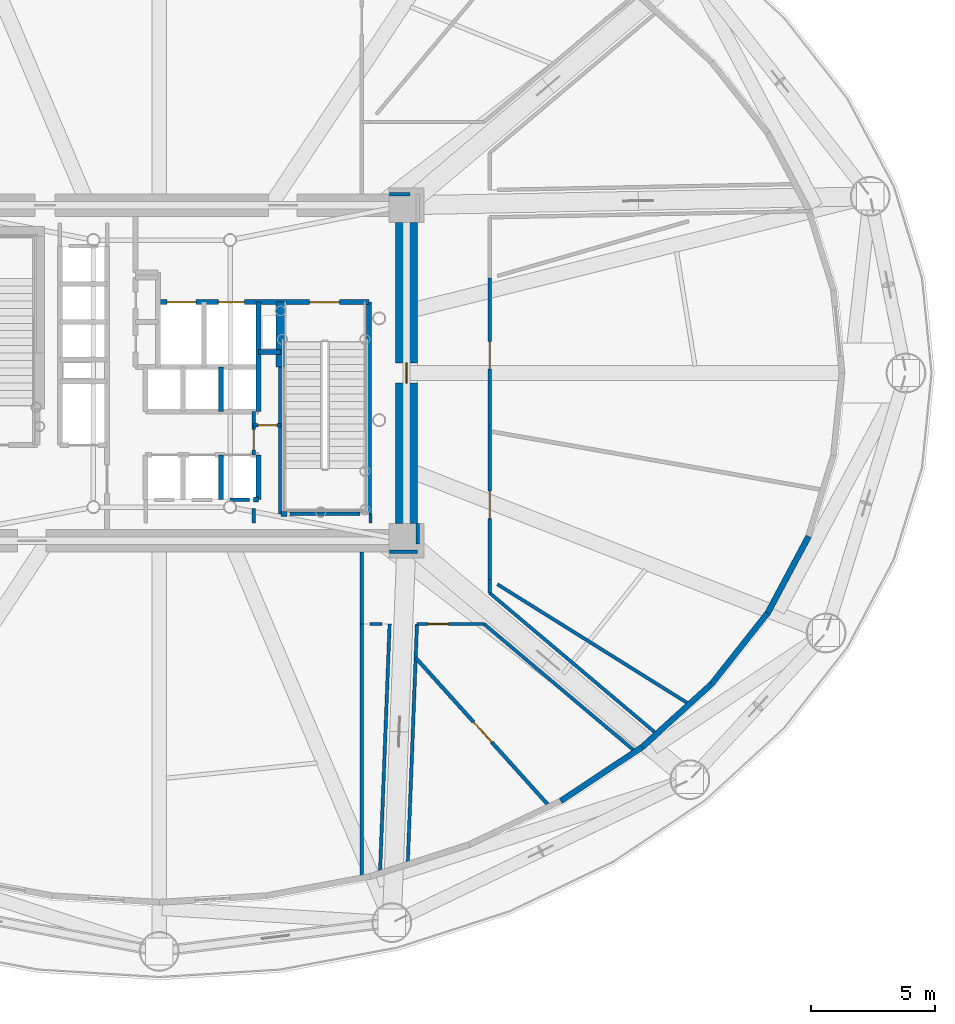
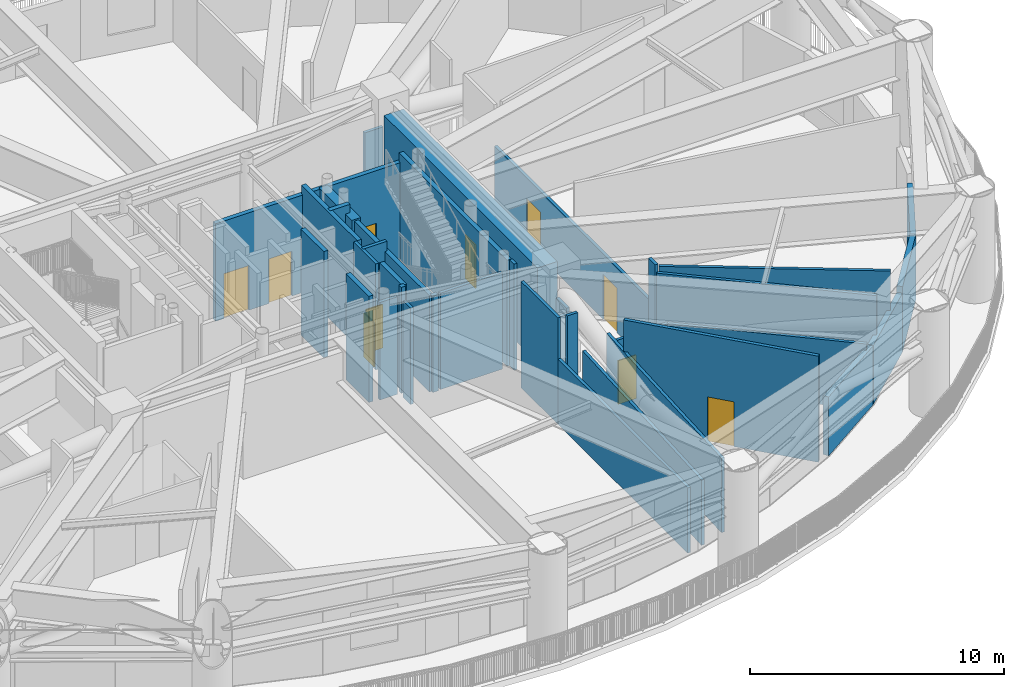
# One storey, part 13 of 22: 37 walls, 10 doors, 10 openings.
"""IFC4 building model written with IfcOpenShell, lengths in metres."""

from ifc_helpers import new_model, si_unit, direction, frame, frame_2d, origin, origin_2d, place, context, subcontext, project, spatial, rectangle, extrude, source, transform, mapped, material, layer, layer_set, type_object, element, fill, save


model = new_model("IFC4")

# Units and contexts
model_context = context("Model", 3, precision=1e-05, world=origin(), true_north=direction((0.0, 1.0)))
body_context = subcontext(model_context, "Body", "Model", "MODEL_VIEW")
ifc_project = project(units=[si_unit("LENGTHUNIT", "METRE"), si_unit("AREAUNIT", "SQUARE_METRE"), si_unit("VOLUMEUNIT", "CUBIC_METRE"), si_unit("PLANEANGLEUNIT", "RADIAN"), si_unit("MASSUNIT", "GRAM", prefix="KILO")], contexts=[model_context])

# Site, building, storey
site_placement = place(None, origin())
site = spatial("IfcSite", under=ifc_project, at=site_placement, CompositionType="ELEMENT")
building_placement = place(site_placement, origin())
building = spatial("IfcBuilding", under=site, at=building_placement, Name="Linh Dai School and Residence Tower", CompositionType="ELEMENT")
storey_placement = place(building_placement, frame((0.0, 0.0, 87.0)))
storey = spatial("IfcBuildingStorey", under=building, at=storey_placement, Name="L20", CompositionType="ELEMENT", Elevation=87.0)

# Walls
ifc_material_1 = material(Name="Precast Concrete B45 (C35/45)", Category="concrete")
ifc_layer_1 = layer(ifc_material_1, 0.239990234375)
ifc_layer_set_1 = layer_set([ifc_layer_1], Name="Precast Concrete B45 (C35/45)")
wall_type_1 = type_object("IfcWallType", Name="EW-TC-240", PredefinedType="SOLIDWALL", material=ifc_layer_set_1)
wall_1_placement = place(storey_placement, frame((55.439453125, 11.9453125, 0.0), z_axis=(0.0, 0.0, 1.0), x_axis=(-0.833432371142, -0.552621464235, 0.0)))
element("IfcWall", 1, at=wall_1_placement, inside=storey, type_object=wall_type_1, Name="L20 Terracotta Exterior Wall 35", PredefinedType="SOLIDWALL", context=body_context, shape_type="SweptSolid", body=[
    extrude(rectangle(XDim=3.93310546875, YDim=0.239990234375, at=frame_2d((1.966552734375, 0.0))), origin(), (0.0, 0.0, 1.0), 2.83203125),
])
wall_2_placement = place(storey_placement, frame((58.237548828125, 14.4892578125, 0.0), z_axis=(0.0, 0.0, 1.0), x_axis=(-0.739910860475, -0.672704926808, 0.0)))
element("IfcWall", 2, at=wall_2_placement, inside=storey, type_object=wall_type_1, Name="L20 Terracotta Exterior Wall 36", PredefinedType="SOLIDWALL", context=body_context, shape_type="SweptSolid", body=[
    extrude(rectangle(XDim=3.78173828125, YDim=0.239990234375, at=frame_2d((1.890869140625, 0.0))), origin(), (0.0, 0.0, 1.0), 2.83203125),
])
wall_3_placement = place(storey_placement, frame((60.4873046875, 17.339599609375, 0.0), z_axis=(0.0, 0.0, 1.0), x_axis=(-0.61955708767, -0.784951600494, 0.0)))
element("IfcWall", 3, at=wall_3_placement, inside=storey, type_object=wall_type_1, Name="L20 Terracotta Exterior Wall 37", PredefinedType="SOLIDWALL", context=body_context, shape_type="SweptSolid", body=[
    extrude(rectangle(XDim=3.63134765625, YDim=0.239990234375, at=frame_2d((1.815673828125, 0.0))), origin(), (0.0, 0.0, 1.0), 3.135009765625),
])
wall_4_placement = place(storey_placement, frame((62.1337890625, 20.426025390625, 0.0), z_axis=(0.0, 0.0, 1.0), x_axis=(-0.470675170758, -0.882306570095, 0.0)))
element("IfcWall", 4, at=wall_4_placement, inside=storey, type_object=wall_type_1, Name="L20 Terracotta Exterior Wall 38", PredefinedType="SOLIDWALL", context=body_context, shape_type="SweptSolid", body=[
    extrude(rectangle(XDim=3.498046875, YDim=0.239990234375, at=frame_2d((1.7490234375, 0.0))), origin(), (0.0, 0.0, 1.0), 3.135009765625),
])

# Wall, opening, door
ifc_material_2 = material(Name="Autoclaved Aerated Concrete Blockwork", Category="masonry")
ifc_layer_2 = layer(ifc_material_2, 0.135009765625)
ifc_layer_set_2 = layer_set([ifc_layer_2], Name="Autoclaved Aerated Concrete Blockwork")
wall_type_2 = type_object("IfcWallType", Name="IW-CORR-135-EI90", PredefinedType="PARTITIONING", material=ifc_layer_set_2)
wall_5_placement = place(storey_placement, frame((39.800048828125, 23.699951171875, 0.0), z_axis=(0.0, 0.0, 1.0), x_axis=(0.0, 1.0, 0.0)))
wall_5 = element("IfcWall", 5, at=wall_5_placement, inside=storey, type_object=wall_type_2, Name="L20 Interior Partition Wall 041", PredefinedType="PARTITIONING", context=body_context, shape_type="SweptSolid", body=[
    extrude(rectangle(XDim=1.75, YDim=0.135009765625, at=frame_2d((0.875, 0.0))), origin(), (0.0, 0.0, 1.0), 5.10009765625),
])
opening_1_placement = place(wall_5_placement, frame((0.2099609375, 0.0, 0.0)))
opening_1 = element("IfcOpeningElement", 6, at=opening_1_placement, cuts=wall_5, Name="Opening D06", PredefinedType="OPENING", context=body_context, shape_type="SweptSolid", body=[
    extrude(rectangle(XDim=0.820068359375, YDim=2.10009765625, at=origin_2d()), frame((0.41015625, 0.07763671875, 1.050048828125), z_axis=(0.0, -1.0, 0.0), x_axis=(1.0, 0.0, 0.0)), (0.0, 0.0, 1.0), 0.155029296875),
])
ifc_material_3 = material(Name="Moisture-Resistant Timber Bathroom Door", Category="wood")
door_type_1 = type_object("IfcDoorType", Name="DR-WET-820x2100", OperationType="NOTDEFINED", PredefinedType="DOOR", material=ifc_material_3)
shared_shape_1 = source(origin(), body_context, "Body", "SweptSolid", [
    extrude(rectangle(XDim=0.820068359375, YDim=2.10009765625, at=origin_2d()), frame((0.41015625, 0.02490234375, 1.050048828125), z_axis=(0.0, -1.0, 0.0), x_axis=(1.0, 0.0, 0.0)), (0.0, 0.0, 1.0), 0.050048828125),
])
door_1_placement = place(opening_1_placement, origin())
door_1 = element("IfcDoor", 7, at=door_1_placement, inside=storey, type_object=door_type_1, Name="L20 SE Metering Closet Door", OperationType="SINGLE_SWING_LEFT", OverallHeight=2.10009765625, OverallWidth=0.820068359375, PredefinedType="DOOR", context=body_context, shape_type="MappedRepresentation", body=[
    mapped(shared_shape_1, transform((0.0, 0.0, 0.0), x_axis=(1.0, 0.0, 0.0), y_axis=(0.0, 1.0, 0.0), z_axis=(0.0, 0.0, 1.0), scale=1.0)),
])
fill(opening_1, door_1)

# Walls
wall_6_placement = place(storey_placement, frame((44.14990234375, 16.89990234375, 0.0), z_axis=(0.0, 0.0, 1.0), x_axis=(0.0, 1.0, 0.0)))
element("IfcWall", 8, at=wall_6_placement, inside=storey, type_object=wall_type_2, Name="L20 Interior Partition Wall 048", PredefinedType="PARTITIONING", context=body_context, shape_type="SweptSolid", body=[
    extrude(rectangle(XDim=2.900146484375, YDim=0.135009765625, at=frame_2d((1.4501953125, 0.0))), origin(), (0.0, 0.0, 1.0), 5.10009765625),
])
wall_7_placement = place(storey_placement, frame((45.998291015625, 7.21728515625, 0.0), z_axis=(0.0, 0.0, 1.0), x_axis=(0.038497951681, 0.99925867908, 0.0)))
element("IfcWall", 9, at=wall_7_placement, inside=storey, type_object=wall_type_2, Name="L20 Interior Partition Wall 052", PredefinedType="PARTITIONING", context=body_context, shape_type="SweptSolid", body=[
    extrude(rectangle(XDim=9.68994140625, YDim=0.135009765625, at=frame_2d((4.844970703125, 0.0))), origin(), (0.0, 0.0, 1.0), 3.5849609375),
])

# Wall, opening, door
wall_8_placement = place(storey_placement, frame((46.371337890625, 16.89990234375, 0.0), z_axis=(0.0, 0.0, 1.0), x_axis=(1.0, 0.0, 0.0)))
wall_8 = element("IfcWall", 10, at=wall_8_placement, inside=storey, type_object=wall_type_2, Name="L20 Interior Partition Wall 054", PredefinedType="PARTITIONING", context=body_context, shape_type="SweptSolid", body=[
    extrude(rectangle(XDim=2.69677734375, YDim=0.135009765625, at=frame_2d((1.348388671875, 0.0))), origin(), (0.0, 0.0, 1.0), 3.135009765625),
])
opening_2_placement = place(wall_8_placement, frame((0.447509765625, 0.0, 0.0)))
opening_2 = element("IfcOpeningElement", 11, at=opening_2_placement, cuts=wall_8, Name="Opening D06", PredefinedType="OPENING", context=body_context, shape_type="SweptSolid", body=[
    extrude(rectangle(XDim=0.820068359375, YDim=2.10009765625, at=origin_2d()), frame((0.41015625, 0.07763671875, 1.050048828125), z_axis=(0.0, -1.0, 0.0), x_axis=(1.0, 0.0, 0.0)), (0.0, 0.0, 1.0), 0.155029296875),
])
door_2_placement = place(opening_2_placement, origin())
door_2 = element("IfcDoor", 12, at=door_2_placement, inside=storey, type_object=door_type_1, Name="L20 Refuge Emergency Equipment & First-Aid Store Door", OperationType="SINGLE_SWING_RIGHT", OverallHeight=2.10009765625, OverallWidth=0.820068359375, PredefinedType="DOOR", context=body_context, shape_type="MappedRepresentation", body=[
    mapped(shared_shape_1, transform((0.0, 0.0, 0.0), x_axis=(1.0, 0.0, 0.0), y_axis=(0.0, 1.0, 0.0), z_axis=(0.0, 0.0, 1.0), scale=1.0)),
])
fill(opening_2, door_2)

# Wall
wall_9_placement = place(storey_placement, frame((49.068115234375, 16.89990234375, 0.0), z_axis=(0.0, 0.0, 1.0), x_axis=(0.764356069215, -0.644794385408, 0.0)))
element("IfcWall", 13, at=wall_9_placement, inside=storey, type_object=wall_type_2, Name="L20 Interior Partition Wall 055", PredefinedType="PARTITIONING", context=body_context, shape_type="SweptSolid", body=[
    extrude(rectangle(XDim=7.975830078125, YDim=0.135009765625, at=frame_2d((3.98779296875, 0.0))), origin(), (0.0, 0.0, 1.0), 3.135009765625),
])

# Wall, openings, doors
wall_10_placement = place(storey_placement, frame((49.300048828125, 18.689208984375, 0.0), z_axis=(0.0, 0.0, 1.0), x_axis=(0.0, 1.0, 0.0)))
wall_10 = element("IfcWall", 14, at=wall_10_placement, inside=storey, type_object=wall_type_2, Name="L20 Interior Partition Wall 056", PredefinedType="PARTITIONING", context=body_context, shape_type="SweptSolid", body=[
    extrude(rectangle(XDim=12.12451171875, YDim=0.135009765625, at=frame_2d((6.062255859375, 0.0))), origin(), (0.0, 0.0, 1.0), 3.135009765625),
])
opening_3_placement = place(wall_10_placement, frame((2.452880859375, 0.0, 0.0)))
opening_3 = element("IfcOpeningElement", 15, at=opening_3_placement, cuts=wall_10, Name="Opening D07", PredefinedType="OPENING", context=body_context, shape_type="SweptSolid", body=[
    extrude(rectangle(XDim=1.10009765625, YDim=2.14990234375, at=origin_2d()), frame((0.550048828125, 0.07763671875, 1.074951171875), z_axis=(0.0, -1.0, 0.0), x_axis=(1.0, 0.0, 0.0)), (0.0, 0.0, 1.0), 0.155029296875),
])
opening_4_placement = place(wall_10_placement, frame((8.47509765625, 0.0, 0.0)))
opening_4 = element("IfcOpeningElement", 16, at=opening_4_placement, cuts=wall_10, Name="Opening D07", PredefinedType="OPENING", context=body_context, shape_type="SweptSolid", body=[
    extrude(rectangle(XDim=1.10009765625, YDim=2.14990234375, at=origin_2d()), frame((0.550048828125, 0.07763671875, 1.074951171875), z_axis=(0.0, -1.0, 0.0), x_axis=(1.0, 0.0, 0.0)), (0.0, 0.0, 1.0), 0.155029296875),
])
ifc_material_4 = material(Name="Fire-Rated Louvred Steel Plant Door", Category="steel")
door_type_2 = type_object("IfcDoorType", Name="DR-PLT-1100x2150-FD60S", OperationType="NOTDEFINED", PredefinedType="DOOR", material=ifc_material_4)
shared_shape_2 = source(origin(), body_context, "Body", "SweptSolid", [
    extrude(rectangle(XDim=1.10009765625, YDim=2.14990234375, at=origin_2d()), frame((0.550048828125, 0.02490234375, 1.074951171875), z_axis=(0.0, -1.0, 0.0), x_axis=(1.0, 0.0, 0.0)), (0.0, 0.0, 1.0), 0.050048828125),
])
door_3_placement = place(opening_3_placement, origin())
door_3 = element("IfcDoor", 17, at=door_3_placement, inside=storey, type_object=door_type_2, Name="L20 Primary Air-Handling Plant Room East 1 Door", OperationType="SINGLE_SWING_LEFT", OverallHeight=2.14990234375, OverallWidth=1.10009765625, PredefinedType="DOOR", context=body_context, shape_type="MappedRepresentation", body=[
    mapped(shared_shape_2, transform((0.0, 0.0, 0.0), x_axis=(1.0, 0.0, 0.0), y_axis=(0.0, 1.0, 0.0), z_axis=(0.0, 0.0, 1.0), scale=1.0)),
])
fill(opening_3, door_3)
door_4_placement = place(opening_4_placement, origin())
door_4 = element("IfcDoor", 18, at=door_4_placement, inside=storey, type_object=door_type_2, Name="L20 Primary Air-Handling Plant Room East 2 Door", OperationType="SINGLE_SWING_RIGHT", OverallHeight=2.14990234375, OverallWidth=1.10009765625, PredefinedType="DOOR", context=body_context, shape_type="MappedRepresentation", body=[
    mapped(shared_shape_2, transform((0.0, 0.0, 0.0), x_axis=(1.0, 0.0, 0.0), y_axis=(0.0, 1.0, 0.0), z_axis=(0.0, 0.0, 1.0), scale=1.0)),
])
fill(opening_4, door_4)

# Walls
wall_11_placement = place(storey_placement, frame((44.080078125, 21.330078125, 0.0), z_axis=(0.0, 0.0, 1.0), x_axis=(-1.0, 0.0, 0.0)))
element("IfcWall", 19, at=wall_11_placement, inside=storey, type_object=wall_type_2, Name="L20 Interior Partition Wall 059", PredefinedType="PARTITIONING", context=body_context, shape_type="SweptSolid", body=[
    extrude(rectangle(XDim=2.820068359375, YDim=0.135009765625, at=frame_2d((1.41015625, 0.0))), origin(), (0.0, 0.0, 1.0), 4.635009765625),
])
wall_12_placement = place(storey_placement, frame((39.639892578125, 21.89990234375, 0.0), z_axis=(0.0, 0.0, 1.0), x_axis=(-1.0, 0.0, 0.0)))
element("IfcWall", 20, at=wall_12_placement, inside=storey, type_object=wall_type_2, Name="L20 Interior Partition Wall 062", PredefinedType="PARTITIONING", context=body_context, shape_type="SweptSolid", body=[
    extrude(rectangle(XDim=0.7998046875, YDim=0.135009765625, at=frame_2d((0.39990234375, 0.0))), origin(), (0.0, 0.0, 1.0), 4.68505859375),
])
wall_13_placement = place(storey_placement, frame((39.800048828125, 20.9599609375, 0.0), z_axis=(0.0, 0.0, 1.0), x_axis=(0.0, 1.0, 0.0)))
element("IfcWall", 21, at=wall_13_placement, inside=storey, type_object=wall_type_2, Name="L20 Interior Partition Wall 064", PredefinedType="PARTITIONING", context=body_context, shape_type="SweptSolid", body=[
    extrude(rectangle(XDim=0.580078125, YDim=0.135009765625, at=frame_2d((0.2900390625, 0.0))), origin(), (0.0, 0.0, 1.0), 4.635009765625),
])
wall_14_placement = place(storey_placement, frame((44.5, 20.9599609375, 0.0), z_axis=(0.0, 0.0, 1.0), x_axis=(0.0, 1.0, 0.0)))
element("IfcWall", 22, at=wall_14_placement, inside=storey, type_object=wall_type_2, Name="L20 Interior Partition Wall 066", PredefinedType="PARTITIONING", context=body_context, shape_type="SweptSolid", body=[
    extrude(rectangle(XDim=0.360107421875, YDim=0.135009765625, at=frame_2d((0.18017578125, 0.0))), origin(), (0.0, 0.0, 1.0), 5.10009765625),
])
wall_15_placement = place(storey_placement, frame((44.14990234375, 16.889892578125, 0.0), z_axis=(0.0, 0.0, 1.0), x_axis=(0.0, -1.0, 0.0)))
element("IfcWall", 23, at=wall_15_placement, inside=storey, type_object=wall_type_2, Name="L20 Interior Partition Wall 071", PredefinedType="PARTITIONING", context=body_context, shape_type="SweptSolid", body=[
    extrude(rectangle(XDim=10.2197265625, YDim=0.135009765625, at=frame_2d((5.10986328125, 0.0))), origin(), (0.0, 0.0, 1.0), 3.135009765625),
])
wall_16_placement = place(storey_placement, frame((44.883544921875, 6.858642578125, 0.0), z_axis=(0.0, 0.0, 1.0), x_axis=(0.03850870067, 0.999258264901, 0.0)))
element("IfcWall", 24, at=wall_16_placement, inside=storey, type_object=wall_type_2, Name="L20 Interior Partition Wall 083", PredefinedType="PARTITIONING", context=body_context, shape_type="SweptSolid", body=[
    extrude(rectangle(XDim=10.048828125, YDim=0.135009765625, at=frame_2d((5.0244140625, 0.0))), origin(), (0.0, 0.0, 1.0), 3.135009765625),
])
wall_17_placement = place(storey_placement, frame((44.962890625, 16.89990234375, 0.0), z_axis=(0.0, 0.0, 1.0), x_axis=(-1.0, 0.0, 0.0)))
element("IfcWall", 25, at=wall_17_placement, inside=storey, type_object=wall_type_2, Name="L20 Interior Partition Wall 084", PredefinedType="PARTITIONING", context=body_context, shape_type="SweptSolid", body=[
    extrude(rectangle(XDim=0.4853515625, YDim=0.135009765625, at=frame_2d((0.24267578125, 0.0))), origin(), (0.0, 0.0, 1.0), 5.10009765625),
])
wall_18_placement = place(storey_placement, frame((45.260009765625, 19.800048828125, 0.0), z_axis=(0.0, 0.0, 1.0), x_axis=(1.0, 0.0, 0.0)))
element("IfcWall", 26, at=wall_18_placement, inside=storey, type_object=wall_type_2, Name="L20 Interior Partition Wall 085", PredefinedType="PARTITIONING", context=body_context, shape_type="SweptSolid", body=[
    extrude(rectangle(XDim=1.139892578125, YDim=0.135009765625, at=frame_2d((0.56982421875, 0.0))), origin(), (0.0, 0.0, 1.0), 2.83203125),
])
wall_19_placement = place(storey_placement, frame((46.39990234375, 20.107421875, 0.0), z_axis=(0.0, 0.0, 1.0), x_axis=(0.0, 1.0, 0.0)))
element("IfcWall", 27, at=wall_19_placement, inside=storey, type_object=wall_type_2, Name="L20 Interior Partition Wall 086", PredefinedType="PARTITIONING", context=body_context, shape_type="SweptSolid", body=[
    extrude(rectangle(XDim=0.83251953125, YDim=0.135009765625, at=frame_2d((0.416259765625, 0.0))), origin(), (0.0, 0.0, 1.0), 2.83203125),
])
wall_20_placement = place(storey_placement, frame((46.092529296875, 34.199951171875, 0.0), z_axis=(0.0, 0.0, 1.0), x_axis=(-1.0, 0.0, 0.0)))
element("IfcWall", 28, at=wall_20_placement, inside=storey, type_object=wall_type_2, Name="L20 Interior Partition Wall 088", PredefinedType="PARTITIONING", context=body_context, shape_type="SweptSolid", body=[
    extrude(rectangle(XDim=0.83251953125, YDim=0.135009765625, at=frame_2d((0.416259765625, 0.0))), origin(), (0.0, 0.0, 1.0), 3.135009765625),
])
wall_21_placement = place(storey_placement, frame((49.300048828125, 18.67919921875, 0.0), z_axis=(0.0, 0.0, 1.0), x_axis=(0.0, -1.0, 0.0)))
element("IfcWall", 29, at=wall_21_placement, inside=storey, type_object=wall_type_2, Name="L20 Interior Partition Wall 096", PredefinedType="PARTITIONING", context=body_context, shape_type="SweptSolid", body=[
    extrude(rectangle(XDim=0.53564453125, YDim=0.135009765625, at=frame_2d((0.267822265625, 0.0))), origin(), (0.0, 0.0, 1.0), 5.10009765625),
])
wall_22_placement = place(storey_placement, frame((49.300048828125, 18.1435546875, 0.0), z_axis=(0.0, 0.0, 1.0), x_axis=(0.764349608458, -0.64480204408, 0.0)))
element("IfcWall", 30, at=wall_22_placement, inside=storey, type_object=wall_type_2, Name="L20 Interior Partition Wall 097", PredefinedType="PARTITIONING", context=body_context, shape_type="SweptSolid", body=[
    extrude(rectangle(XDim=8.7978515625, YDim=0.135009765625, at=frame_2d((4.39892578125, 0.0))), origin(), (0.0, 0.0, 1.0), 4.72509765625),
])
wall_23_placement = place(storey_placement, frame((57.33935546875, 13.665771484375, 0.0), z_axis=(0.0, 0.0, 1.0), x_axis=(-0.848055465333, 0.529907470902, 0.0)))
element("IfcWall", 31, at=wall_23_placement, inside=storey, type_object=wall_type_2, Name="L20 Interior Partition Wall 098", PredefinedType="PARTITIONING", context=body_context, shape_type="SweptSolid", body=[
    extrude(rectangle(XDim=9.1171875, YDim=0.135009765625, at=frame_2d((4.55859375, 0.0))), origin(), (0.0, 0.0, 1.0), 4.72509765625),
])

# Wall, opening, door
ifc_layer_3 = layer(ifc_material_2, 0.14990234375)
ifc_layer_set_3 = layer_set([ifc_layer_3], Name="Autoclaved Aerated Concrete Blockwork")
wall_type_3 = type_object("IfcWallType", Name="IW-SCH-150-EI60", PredefinedType="PARTITIONING", material=ifc_layer_set_3)
wall_24_placement = place(storey_placement, frame((39.800048828125, 24.89990234375, 0.0), z_axis=(0.0, 0.0, 1.0), x_axis=(1.0, 0.0, 0.0)))
wall_24 = element("IfcWall", 32, at=wall_24_placement, inside=storey, type_object=wall_type_3, Name="L20 Interior Partition Wall 042", PredefinedType="PARTITIONING", context=body_context, shape_type="SweptSolid", body=[
    extrude(rectangle(XDim=1.099853515625, YDim=0.14990234375, at=frame_2d((0.5498046875, 0.0))), origin(), (0.0, 0.0, 1.0), 5.10009765625),
])
opening_5_placement = place(wall_24_placement, frame((0.169921875, 0.0, 0.0)))
opening_5 = element("IfcOpeningElement", 33, at=opening_5_placement, cuts=wall_24, Name="Opening D08", PredefinedType="OPENING", context=body_context, shape_type="SweptSolid", body=[
    extrude(rectangle(XDim=0.760009765625, YDim=2.10009765625, at=origin_2d()), frame((0.3798828125, 0.0849609375, 1.050048828125), z_axis=(0.0, -1.0, 0.0), x_axis=(1.0, 0.0, 0.0)), (0.0, 0.0, 1.0), 0.169921875),
])
ifc_material_5 = material(Name="Engineered Timber Closet and Study Door", Category="wood")
door_type_3 = type_object("IfcDoorType", Name="DR-CMP-760x2100", OperationType="NOTDEFINED", PredefinedType="DOOR", material=ifc_material_5)
shared_shape_3 = source(origin(), body_context, "Body", "SweptSolid", [
    extrude(rectangle(XDim=0.760009765625, YDim=2.10009765625, at=origin_2d()), frame((0.3798828125, 0.02490234375, 1.050048828125), z_axis=(0.0, -1.0, 0.0), x_axis=(1.0, 0.0, 0.0)), (0.0, 0.0, 1.0), 0.050048828125),
])
door_5_placement = place(opening_5_placement, origin())
door_5 = element("IfcDoor", 34, at=door_5_placement, inside=storey, type_object=door_type_3, Name="L20 NE Cleaners Store Door", OperationType="SINGLE_SWING_RIGHT", OverallHeight=2.10009765625, OverallWidth=0.760009765625, PredefinedType="DOOR", context=body_context, shape_type="MappedRepresentation", body=[
    mapped(shared_shape_3, transform((0.0, 0.0, 0.0), x_axis=(1.0, 0.0, 0.0), y_axis=(0.0, 1.0, 0.0), z_axis=(0.0, 0.0, 1.0), scale=1.0)),
])
fill(opening_5, door_5)

wall_25_placement = place(storey_placement, frame((46.31884765625, 15.539794921875, 0.0), z_axis=(0.0, 0.0, 1.0), x_axis=(0.66912875912, -0.743146488734, 0.0)))
wall_25 = element("IfcWall", 35, at=wall_25_placement, inside=storey, type_object=wall_type_3, Name="L20 Interior Partition Wall 053", PredefinedType="PARTITIONING", context=body_context, shape_type="SweptSolid", body=[
    extrude(rectangle(XDim=8.05810546875, YDim=0.14990234375, at=frame_2d((4.029052734375, 0.0))), origin(), (0.0, 0.0, 1.0), 5.10009765625),
])
opening_6_placement = place(wall_25_placement, frame((3.47900390625, 0.0, 0.0)))
opening_6 = element("IfcOpeningElement", 36, at=opening_6_placement, cuts=wall_25, Name="Opening D07", PredefinedType="OPENING", context=body_context, shape_type="SweptSolid", body=[
    extrude(rectangle(XDim=1.10009765625, YDim=2.14990234375, at=origin_2d()), frame((0.550048828125, 0.0849609375, 1.074951171875), z_axis=(0.0, -1.0, 0.0), x_axis=(1.0, 0.0, 0.0)), (0.0, 0.0, 1.0), 0.169921875),
])
door_6_placement = place(opening_6_placement, origin())
door_6 = element("IfcDoor", 37, at=door_6_placement, inside=storey, type_object=door_type_2, Name="L20 Emergency Life-Safety UPS Battery Plant Room Door", OperationType="SINGLE_SWING_RIGHT", OverallHeight=2.14990234375, OverallWidth=1.10009765625, PredefinedType="DOOR", context=body_context, shape_type="MappedRepresentation", body=[
    mapped(shared_shape_2, transform((0.0, 0.0, 0.0), x_axis=(1.0, 0.0, 0.0), y_axis=(0.0, 1.0, 0.0), z_axis=(0.0, 0.0, 1.0), scale=1.0)),
])
fill(opening_6, door_6)

# Wall, openings, doors
ifc_material_6 = material(Name="Concrete B45 (C35/45)", Category="concrete")
ifc_layer_4 = layer(ifc_material_6, 0.199951171875)
ifc_layer_set_4 = layer_set([ifc_layer_4], Name="Concrete B45 (C35/45)")
wall_type_4 = type_object("IfcWallType", Name="IW-SHAFT-200-EI120", PredefinedType="PARTITIONING", material=ifc_layer_set_4)
wall_26_placement = place(storey_placement, frame((35.949951171875, 29.85009765625, 0.0), z_axis=(0.0, 0.0, 1.0), x_axis=(1.0, 0.0, 0.0)))
wall_26 = element("IfcWall", 38, at=wall_26_placement, inside=storey, type_object=wall_type_4, Name="L20 Interior Partition Wall 034", PredefinedType="PARTITIONING", context=body_context, shape_type="SweptSolid", body=[
    extrude(rectangle(XDim=8.489990234375, YDim=0.199951171875, at=frame_2d((4.2451171875, 0.0))), origin(), (0.0, 0.0, 1.0), 4.68505859375),
])
opening_7_placement = place(wall_26_placement, frame((6.10009765625, 0.0, 0.0)))
opening_7 = element("IfcOpeningElement", 39, at=opening_7_placement, cuts=wall_26, Name="Opening D01", PredefinedType="OPENING", context=body_context, shape_type="SweptSolid", body=[
    extrude(rectangle(XDim=1.199951171875, YDim=2.14990234375, at=origin_2d()), frame((0.60009765625, 0.10986328125, 1.074951171875), z_axis=(0.0, -1.0, 0.0), x_axis=(1.0, 0.0, 0.0)), (0.0, 0.0, 1.0), 0.219970703125),
])
opening_8_placement = place(wall_26_placement, frame((0.3701171875, 0.0, 0.0)))
opening_8 = element("IfcOpeningElement", 40, at=opening_8_placement, cuts=wall_26, Name="Opening LD-FF1", PredefinedType="OPENING", context=body_context, shape_type="SweptSolid", body=[
    extrude(rectangle(XDim=1.14990234375, YDim=2.14990234375, at=origin_2d()), frame((0.574951171875, 0.10986328125, 1.074951171875), z_axis=(0.0, -1.0, 0.0), x_axis=(1.0, 0.0, 0.0)), (0.0, 0.0, 1.0), 0.219970703125),
])
opening_9_placement = place(wall_26_placement, frame((2.425048828125, 0.0, 0.0)))
opening_9 = element("IfcOpeningElement", 41, at=opening_9_placement, cuts=wall_26, Name="Opening LD-SV1", PredefinedType="OPENING", context=body_context, shape_type="SweptSolid", body=[
    extrude(rectangle(XDim=1.050048828125, YDim=2.14990234375, at=origin_2d()), frame((0.52490234375, 0.10986328125, 1.074951171875), z_axis=(0.0, -1.0, 0.0), x_axis=(1.0, 0.0, 0.0)), (0.0, 0.0, 1.0), 0.219970703125),
])
ifc_material_7 = material(Name="Fire-Rated Steel Door Leaf", Category="steel")
door_type_4 = type_object("IfcDoorType", Name="DR-STAIR-1200x2150-FD90S", OperationType="NOTDEFINED", PredefinedType="DOOR", material=ifc_material_7)
shared_shape_4 = source(origin(), body_context, "Body", "SweptSolid", [
    extrude(rectangle(XDim=1.199951171875, YDim=2.14990234375, at=origin_2d()), frame((0.60009765625, 0.02490234375, 1.074951171875), z_axis=(0.0, -1.0, 0.0), x_axis=(1.0, 0.0, 0.0)), (0.0, 0.0, 1.0), 0.050048828125),
])
door_7_placement = place(opening_7_placement, origin())
door_7 = element("IfcDoor", 42, at=door_7_placement, inside=storey, type_object=door_type_4, Name="L20 Core Smokeproof Exit Stair ST2 Door", OperationType="SINGLE_SWING_RIGHT", OverallHeight=2.14990234375, OverallWidth=1.199951171875, PredefinedType="DOOR", context=body_context, shape_type="MappedRepresentation", body=[
    mapped(shared_shape_4, transform((0.0, 0.0, 0.0), x_axis=(1.0, 0.0, 0.0), y_axis=(0.0, 1.0, 0.0), z_axis=(0.0, 0.0, 1.0), scale=1.0)),
])
fill(opening_7, door_7)
ifc_material_8 = material(Name="Fire-Rated Stainless Steel Firefighting Lift Door", Category="steel")
door_type_5 = type_object("IfcDoorType", Name="DR-LD-FF-1150x2150-FD120", OperationType="DOUBLE_DOOR_SLIDING", PredefinedType="USERDEFINED", material=ifc_material_8)
shared_shape_5 = source(origin(), body_context, "Body", "SweptSolid", [
    extrude(rectangle(XDim=1.14990234375, YDim=2.14990234375, at=origin_2d()), frame((0.574951171875, 0.02490234375, 1.074951171875), z_axis=(0.0, -1.0, 0.0), x_axis=(1.0, 0.0, 0.0)), (0.0, 0.0, 1.0), 0.050048828125),
])
door_8_placement = place(opening_8_placement, origin())
door_8 = element("IfcDoor", 43, at=door_8_placement, inside=storey, type_object=door_type_5, Name="L20 Lift FF1 Sliding Landing Door", ObjectType="LANDING DOOR", OperationType="DOUBLE_DOOR_SLIDING", OverallHeight=2.14990234375, OverallWidth=1.14990234375, PredefinedType="USERDEFINED", context=body_context, shape_type="MappedRepresentation", body=[
    mapped(shared_shape_5, transform((0.0, 0.0, 0.0), x_axis=(1.0, 0.0, 0.0), y_axis=(0.0, 1.0, 0.0), z_axis=(0.0, 0.0, 1.0), scale=1.0)),
])
fill(opening_8, door_8)
ifc_material_9 = material(Name="Brushed Stainless Steel Lift Landing Door", Category="steel")
door_type_6 = type_object("IfcDoorType", Name="DR-LD-PASS-1050x2150", OperationType="DOUBLE_DOOR_SLIDING", PredefinedType="USERDEFINED", material=ifc_material_9)
shared_shape_6 = source(origin(), body_context, "Body", "SweptSolid", [
    extrude(rectangle(XDim=1.050048828125, YDim=2.14990234375, at=origin_2d()), frame((0.52490234375, 0.02490234375, 1.074951171875), z_axis=(0.0, -1.0, 0.0), x_axis=(1.0, 0.0, 0.0)), (0.0, 0.0, 1.0), 0.050048828125),
])
door_9_placement = place(opening_9_placement, origin())
door_9 = element("IfcDoor", 44, at=door_9_placement, inside=storey, type_object=door_type_6, Name="L20 Lift SV1 Sliding Landing Door", ObjectType="LANDING DOOR", OperationType="DOUBLE_DOOR_SLIDING", OverallHeight=2.14990234375, OverallWidth=1.050048828125, PredefinedType="USERDEFINED", context=body_context, shape_type="MappedRepresentation", body=[
    mapped(shared_shape_6, transform((0.0, 0.0, 0.0), x_axis=(1.0, 0.0, 0.0), y_axis=(0.0, 1.0, 0.0), z_axis=(0.0, 0.0, 1.0), scale=1.0)),
])
fill(opening_9, door_9)

# Walls
for number, where, z_axis, x_axis, name in (
    (45, (38.47998046875, 21.89990234375, 0.0), (0.0, 0.0, 1.0), (0.0, 1.0, 0.0), "L20 Interior Partition Wall 038"),
    (46, (38.47998046875, 25.449951171875, 0.0), (0.0, 0.0, 1.0), (0.0, 1.0, 0.0), "L20 Interior Partition Wall 039"),
):
    element("IfcWall", number, at=place(storey_placement, frame(where, z_axis=z_axis, x_axis=x_axis)), inside=storey, type_object=wall_type_4, Name=name, PredefinedType="PARTITIONING", context=body_context, shape_type="SweptSolid", body=[
        extrude(rectangle(XDim=1.800048828125, YDim=0.199951171875, at=frame_2d((0.89990234375, 0.0))), origin(), (0.0, 0.0, 1.0), 5.10009765625),
    ])
wall_27_placement = place(storey_placement, frame((39.800048828125, 21.89990234375, 0.0), z_axis=(0.0, 0.0, 1.0), x_axis=(1.0, 0.0, 0.0)))
element("IfcWall", 47, at=wall_27_placement, inside=storey, type_object=wall_type_4, Name="L20 Interior Partition Wall 040", PredefinedType="PARTITIONING", context=body_context, shape_type="SweptSolid", body=[
    extrude(rectangle(XDim=0.199951171875, YDim=0.199951171875, at=frame_2d((0.10009765625, 0.0))), origin(), (0.0, 0.0, 1.0), 5.10009765625),
])
wall_28_placement = place(storey_placement, frame((40.0, 21.89990234375, 0.0), z_axis=(0.0, 0.0, 1.0), x_axis=(0.0, 1.0, 0.0)))
element("IfcWall", 48, at=wall_28_placement, inside=storey, type_object=wall_type_4, Name="L20 Interior Partition Wall 043", PredefinedType="PARTITIONING", context=body_context, shape_type="SweptSolid", body=[
    extrude(rectangle(XDim=1.800048828125, YDim=0.199951171875, at=frame_2d((0.89990234375, 0.0))), origin(), (0.0, 0.0, 1.0), 5.10009765625),
])
wall_29_placement = place(storey_placement, frame((40.0, 25.449951171875, 0.0), z_axis=(0.0, 0.0, 1.0), x_axis=(0.0, 1.0, 0.0)))
element("IfcWall", 49, at=wall_29_placement, inside=storey, type_object=wall_type_4, Name="L20 Interior Partition Wall 044", PredefinedType="PARTITIONING", context=body_context, shape_type="SweptSolid", body=[
    extrude(rectangle(XDim=4.400146484375, YDim=0.199951171875, at=frame_2d((2.2001953125, 0.0))), origin(), (0.0, 0.0, 1.0), 5.10009765625),
])
wall_30_placement = place(storey_placement, frame((40.0, 27.85009765625, 0.0), z_axis=(0.0, 0.0, 1.0), x_axis=(1.0, 0.0, 0.0)))
element("IfcWall", 50, at=wall_30_placement, inside=storey, type_object=wall_type_4, Name="L20 Interior Partition Wall 045", PredefinedType="PARTITIONING", context=body_context, shape_type="SweptSolid", body=[
    extrude(rectangle(XDim=0.89990234375, YDim=0.199951171875, at=frame_2d((0.449951171875, 0.0))), origin(), (0.0, 0.0, 1.0), 5.10009765625),
])
wall_31_placement = place(storey_placement, frame((40.89990234375, 21.330078125, 0.0), z_axis=(0.0, 0.0, 1.0), x_axis=(0.0, 1.0, 0.0)))
element("IfcWall", 51, at=wall_31_placement, inside=storey, type_object=wall_type_4, Name="L20 Interior Partition Wall 046", PredefinedType="PARTITIONING", context=body_context, shape_type="SweptSolid", body=[
    extrude(rectangle(XDim=5.909912109375, YDim=0.199951171875, at=frame_2d((2.955078125, 0.0))), origin(), (0.0, 0.0, 1.0), 4.635009765625),
])
wall_32_placement = place(storey_placement, frame((40.89990234375, 21.330078125, 0.0), z_axis=(0.0, 0.0, 1.0), x_axis=(1.0, 0.0, 0.0)))
element("IfcWall", 52, at=wall_32_placement, inside=storey, type_object=wall_type_4, Name="L20 Interior Partition Wall 047", PredefinedType="PARTITIONING", context=body_context, shape_type="SweptSolid", body=[
    extrude(rectangle(XDim=0.25, YDim=0.199951171875, at=frame_2d((0.125, 0.0))), origin(), (0.0, 0.0, 1.0), 4.635009765625),
])
wall_33_placement = place(storey_placement, frame((44.43994140625, 21.330078125, 0.0), z_axis=(0.0, 0.0, 1.0), x_axis=(0.0, 1.0, 0.0)))
element("IfcWall", 53, at=wall_33_placement, inside=storey, type_object=wall_type_4, Name="L20 Interior Partition Wall 051", PredefinedType="PARTITIONING", context=body_context, shape_type="SweptSolid", body=[
    extrude(rectangle(XDim=8.52001953125, YDim=0.199951171875, at=frame_2d((4.260009765625, 0.0))), origin(), (0.0, 0.0, 1.0), 5.10009765625),
])
ifc_layer_5 = layer(ifc_material_6, 0.39990234375)
ifc_layer_set_5 = layer_set([ifc_layer_5], Name="Concrete B45 (C35/45)")
wall_type_5 = type_object("IfcWallType", Name="WL-CORE400", PredefinedType="SHEAR", material=ifc_layer_set_5)
wall_34_placement = place(storey_placement, frame((40.89990234375, 27.25, 0.0), z_axis=(0.0, 0.0, 1.0), x_axis=(0.0, 1.0, 0.0)))
element("IfcWall", 54, at=wall_34_placement, inside=storey, type_object=wall_type_5, Name="L20 Internal Core Shear Wall IE", PredefinedType="SHEAR", context=body_context, shape_type="SweptSolid", body=[
    extrude(rectangle(XDim=2.60009765625, YDim=0.39990234375, at=frame_2d((1.300048828125, 0.0))), origin(), (0.0, 0.0, 1.0), 4.699951171875),
])

# Wall, opening, door
ifc_material_10 = material(Name="Concrete B60 (C50/60)", Category="concrete")
ifc_layer_6 = layer(ifc_material_10, 0.89990234375)
ifc_layer_set_6 = layer_set([ifc_layer_6], Name="Concrete B60 (C50/60)")
wall_type_6 = type_object("IfcWallType", Name="WL-CORE900", PredefinedType="SHEAR", material=ifc_layer_set_6)
wall_35_placement = place(storey_placement, frame((45.949951171875, 33.050048828125, 0.0), z_axis=(0.0, 0.0, 1.0), x_axis=(0.0, -1.0, 0.0)))
wall_35 = element("IfcWall", 55, at=wall_35_placement, inside=storey, type_object=wall_type_6, Name="L20 Central Core Shear Wall E", PredefinedType="SHEAR", context=body_context, shape_type="SweptSolid", body=[
    extrude(rectangle(XDim=12.10009765625, YDim=0.89990234375, at=frame_2d((6.050048828125, 0.0))), origin(), (0.0, 0.0, 1.0), 4.550048828125),
])
opening_10_placement = place(wall_35_placement, frame((5.639892578125, 0.0, 0.0)))
opening_10 = element("IfcOpeningElement", 56, at=opening_10_placement, cuts=wall_35, Name="Opening D06", PredefinedType="OPENING", context=body_context, shape_type="SweptSolid", body=[
    extrude(rectangle(XDim=0.820068359375, YDim=2.10009765625, at=origin_2d()), frame((0.41015625, 0.4599609375, 1.050048828125), z_axis=(0.0, -1.0, 0.0), x_axis=(1.0, 0.0, 0.0)), (0.0, 0.0, 1.0), 0.919921875),
])
door_10_placement = place(opening_10_placement, origin())
door_10 = element("IfcDoor", 57, at=door_10_placement, inside=storey, type_object=door_type_1, Name="L20 Firefighting Lobby Door", OperationType="SINGLE_SWING_LEFT", OverallHeight=2.10009765625, OverallWidth=0.820068359375, PredefinedType="DOOR", context=body_context, shape_type="MappedRepresentation", body=[
    mapped(shared_shape_1, transform((0.0, 0.0, 0.0), x_axis=(1.0, 0.0, 0.0), y_axis=(0.0, 1.0, 0.0), z_axis=(0.0, 0.0, 1.0), scale=1.0)),
])
fill(opening_10, door_10)

save(model, "model.ifc")
